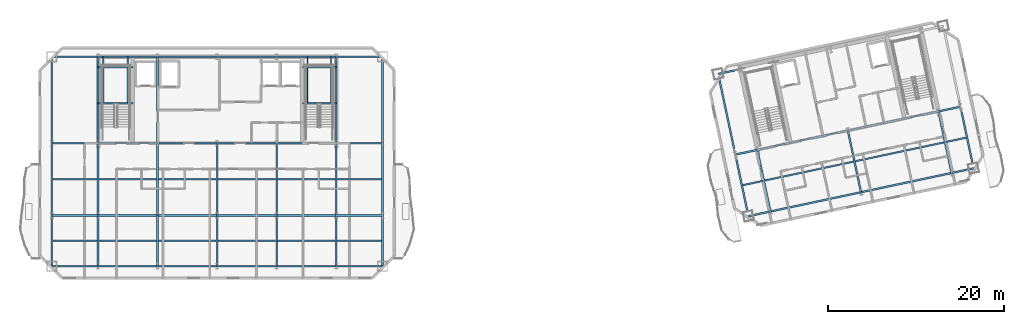
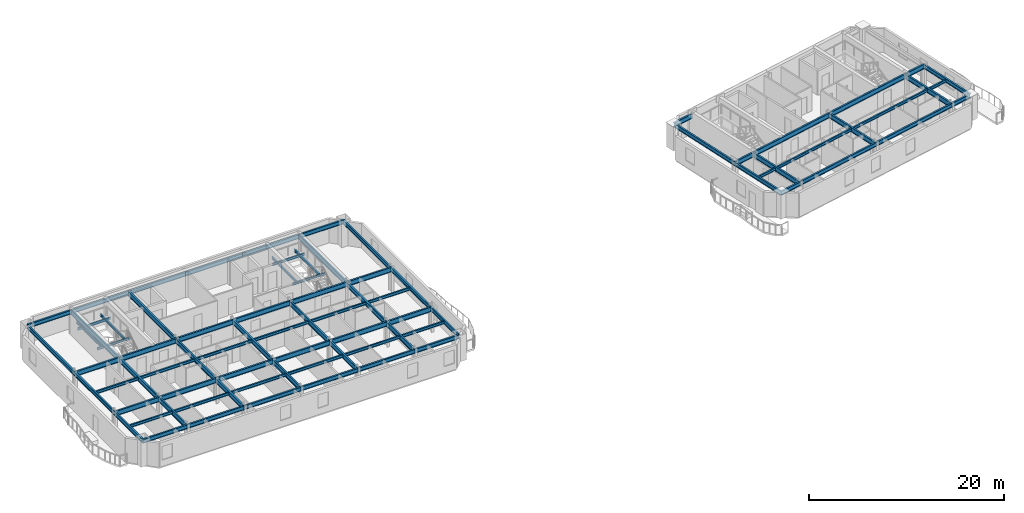
# One storey, part 3 of 14: 82 beams.
"""IFC4 building model written with IfcOpenShell, lengths in metres."""

from ifc_helpers import new_model, si_unit, direction, frame, origin, origin_2d, place, context, subcontext, project, spatial, i_section, extrude, material, material_profile, profile_set, type_object, element, save


model = new_model("IFC4")

# Units and contexts
model_context = context("Model", 3, precision=1e-05, world=origin(), true_north=direction((0.0, 1.0)))
body_context = subcontext(model_context, "Body", "Model", "MODEL_VIEW")
ifc_project = project(units=[si_unit("LENGTHUNIT", "METRE"), si_unit("AREAUNIT", "SQUARE_METRE"), si_unit("VOLUMEUNIT", "CUBIC_METRE"), si_unit("PLANEANGLEUNIT", "RADIAN"), si_unit("MASSUNIT", "GRAM", prefix="KILO")], contexts=[model_context])

# Site, building, storey
site_placement = place(None, origin())
site = spatial("IfcSite", under=ifc_project, at=site_placement, CompositionType="ELEMENT")
building_placement = place(site_placement, origin())
building = spatial("IfcBuilding", under=site, at=building_placement, Name="Haevon Station Towers", CompositionType="ELEMENT")
storey_placement = place(building_placement, frame((0.0, 0.0, 231.89990234375)))
storey = spatial("IfcBuildingStorey", under=building, at=storey_placement, Name="L64", CompositionType="ELEMENT", Elevation=231.89990234375)

# Beams
ifc_material = material(Name="Steel S355", Category="steel")
ifc_material_profile_1 = material_profile(ifc_material, i_section(OverallWidth=0.199951171875, OverallDepth=0.60009765625, WebThickness=0.010986328125, FlangeThickness=0.01708984375, at=origin_2d()), Name="H-600x200x11x17")
ifc_profile_set_1 = profile_set([ifc_material_profile_1], Name="Steel S355")
beam_type_1 = type_object("IfcBeamType", Name="BM-G600", PredefinedType="BEAM", material=ifc_profile_set_1)
beam_1_placement = place(storey_placement, frame((18.75, 30.0, 2.75), z_axis=(1.0, 0.0, 0.0), x_axis=(0.0, 1.0, 0.0)))
element("IfcBeam", 1, at=beam_1_placement, inside=storey, type_object=beam_type_1, Name="BM-T1U-L64-02-01", PredefinedType="BEAM", context=body_context, shape_type="SweptSolid", body=[
    extrude(i_section(OverallWidth=0.199951171875, OverallDepth=0.60009765625, WebThickness=0.010986328125, FlangeThickness=0.01708984375, at=origin_2d()), origin(), (0.0, 0.0, 1.0), 5.25),
])
for number, where, z_axis, x_axis, name in (
    (2, (24.0, 30.0, 2.75), (1.0, 0.0, 0.0), (0.0, 1.0, 0.0), "BM-T1U-L64-02-02"),
    (3, (30.75, 30.0, 2.75), (1.0, 0.0, 0.0), (0.0, 1.0, 0.0), "BM-T1U-L64-02-03"),
    (4, (37.5, 30.0, 2.75), (1.0, 0.0, 0.0), (0.0, 1.0, 0.0), "BM-T1U-L64-02-04"),
    (5, (44.25, 30.0, 2.75), (1.0, 0.0, 0.0), (0.0, 1.0, 0.0), "BM-T1U-L64-02-05"),
):
    element("IfcBeam", number, at=place(storey_placement, frame(where, z_axis=z_axis, x_axis=x_axis)), inside=storey, type_object=beam_type_1, Name=name, PredefinedType="BEAM", context=body_context, shape_type="SweptSolid", body=[
        extrude(i_section(OverallWidth=0.199951171875, OverallDepth=0.60009765625, WebThickness=0.010986328125, FlangeThickness=0.01708984375, at=origin_2d()), origin(), (0.0, 0.0, 1.0), 6.75),
    ])
for number, where, z_axis, x_axis, name in (
    (6, (51.0, 30.0, 2.75), (1.0, 0.0, 0.0), (0.0, 1.0, 0.0), "BM-T1U-L64-02-06"),
    (7, (18.75, 38.199951171875, 2.75), (1.0, 0.0, 0.0), (0.0, 1.0, 0.0), "BM-T1U-L64-03-01"),
):
    element("IfcBeam", number, at=place(storey_placement, frame(where, z_axis=z_axis, x_axis=x_axis)), inside=storey, type_object=beam_type_1, Name=name, PredefinedType="BEAM", context=body_context, shape_type="SweptSolid", body=[
        extrude(i_section(OverallWidth=0.199951171875, OverallDepth=0.60009765625, WebThickness=0.010986328125, FlangeThickness=0.01708984375, at=origin_2d()), origin(), (0.0, 0.0, 1.0), 5.25),
    ])
for number, where, z_axis, x_axis, name in (
    (8, (24.0, 38.199951171875, 2.75), (1.0, 0.0, 0.0), (0.0, 1.0, 0.0), "BM-T1U-L64-03-02"),
    (9, (30.75, 38.199951171875, 2.75), (1.0, 0.0, 0.0), (0.0, 1.0, 0.0), "BM-T1U-L64-03-03"),
    (10, (37.5, 38.199951171875, 2.75), (1.0, 0.0, 0.0), (0.0, 1.0, 0.0), "BM-T1U-L64-03-04"),
    (11, (44.25, 38.199951171875, 2.75), (1.0, 0.0, 0.0), (0.0, 1.0, 0.0), "BM-T1U-L64-03-05"),
):
    element("IfcBeam", number, at=place(storey_placement, frame(where, z_axis=z_axis, x_axis=x_axis)), inside=storey, type_object=beam_type_1, Name=name, PredefinedType="BEAM", context=body_context, shape_type="SweptSolid", body=[
        extrude(i_section(OverallWidth=0.199951171875, OverallDepth=0.60009765625, WebThickness=0.010986328125, FlangeThickness=0.01708984375, at=origin_2d()), origin(), (0.0, 0.0, 1.0), 6.75),
    ])
beam_2_placement = place(storey_placement, frame((51.0, 38.199951171875, 2.75), z_axis=(1.0, 0.0, 0.0), x_axis=(0.0, 1.0, 0.0)))
element("IfcBeam", 12, at=beam_2_placement, inside=storey, type_object=beam_type_1, Name="BM-T1U-L64-03-06", PredefinedType="BEAM", context=body_context, shape_type="SweptSolid", body=[
    extrude(i_section(OverallWidth=0.199951171875, OverallDepth=0.60009765625, WebThickness=0.010986328125, FlangeThickness=0.01708984375, at=origin_2d()), origin(), (0.0, 0.0, 1.0), 5.25),
])
beam_3_placement = place(storey_placement, frame((24.0, 24.25, 2.75), z_axis=(0.0, 1.0, 0.0), x_axis=(-1.0, 0.0, 0.0)))
element("IfcBeam", 13, at=beam_3_placement, inside=storey, type_object=beam_type_1, Name="BM-T1V-L64-02-01", PredefinedType="BEAM", context=body_context, shape_type="SweptSolid", body=[
    extrude(i_section(OverallWidth=0.199951171875, OverallDepth=0.60009765625, WebThickness=0.010986328125, FlangeThickness=0.01708984375, at=origin_2d()), origin(), (0.0, 0.0, 1.0), 5.75),
])
beam_4_placement = place(storey_placement, frame((24.0, 30.0, 2.75), z_axis=(0.0, 1.0, 0.0), x_axis=(-1.0, 0.0, 0.0)))
element("IfcBeam", 14, at=beam_4_placement, inside=storey, type_object=beam_type_1, Name="BM-T1V-L64-02-02", PredefinedType="BEAM", context=body_context, shape_type="SweptSolid", body=[
    extrude(i_section(OverallWidth=0.199951171875, OverallDepth=0.60009765625, WebThickness=0.010986328125, FlangeThickness=0.01708984375, at=origin_2d()), origin(), (0.0, 0.0, 1.0), 8.199951171875),
])
beam_5_placement = place(storey_placement, frame((24.0, 38.199951171875, 2.75), z_axis=(0.0, 1.0, 0.0), x_axis=(-1.0, 0.0, 0.0)))
element("IfcBeam", 15, at=beam_5_placement, inside=storey, type_object=beam_type_1, Name="BM-T1V-L64-02-03", PredefinedType="BEAM", context=body_context, shape_type="SweptSolid", body=[
    extrude(i_section(OverallWidth=0.199951171875, OverallDepth=0.60009765625, WebThickness=0.010986328125, FlangeThickness=0.01708984375, at=origin_2d()), origin(), (0.0, 0.0, 1.0), 9.800048828125),
])
beam_6_placement = place(storey_placement, frame((30.75, 24.25, 2.75), z_axis=(0.0, 1.0, 0.0), x_axis=(-1.0, 0.0, 0.0)))
element("IfcBeam", 16, at=beam_6_placement, inside=storey, type_object=beam_type_1, Name="BM-T1V-L64-03-01", PredefinedType="BEAM", context=body_context, shape_type="SweptSolid", body=[
    extrude(i_section(OverallWidth=0.199951171875, OverallDepth=0.60009765625, WebThickness=0.010986328125, FlangeThickness=0.01708984375, at=origin_2d()), origin(), (0.0, 0.0, 1.0), 5.75),
])
beam_7_placement = place(storey_placement, frame((30.75, 30.0, 2.75), z_axis=(0.0, 1.0, 0.0), x_axis=(-1.0, 0.0, 0.0)))
element("IfcBeam", 17, at=beam_7_placement, inside=storey, type_object=beam_type_1, Name="BM-T1V-L64-03-02", PredefinedType="BEAM", context=body_context, shape_type="SweptSolid", body=[
    extrude(i_section(OverallWidth=0.199951171875, OverallDepth=0.60009765625, WebThickness=0.010986328125, FlangeThickness=0.01708984375, at=origin_2d()), origin(), (0.0, 0.0, 1.0), 8.199951171875),
])
beam_8_placement = place(storey_placement, frame((30.75, 38.199951171875, 2.75), z_axis=(0.0, 1.0, 0.0), x_axis=(-1.0, 0.0, 0.0)))
element("IfcBeam", 18, at=beam_8_placement, inside=storey, type_object=beam_type_1, Name="BM-T1V-L64-03-03", PredefinedType="BEAM", context=body_context, shape_type="SweptSolid", body=[
    extrude(i_section(OverallWidth=0.199951171875, OverallDepth=0.60009765625, WebThickness=0.010986328125, FlangeThickness=0.01708984375, at=origin_2d()), origin(), (0.0, 0.0, 1.0), 9.800048828125),
])
beam_9_placement = place(storey_placement, frame((37.5, 24.25, 2.75), z_axis=(0.0, 1.0, 0.0), x_axis=(-1.0, 0.0, 0.0)))
element("IfcBeam", 19, at=beam_9_placement, inside=storey, type_object=beam_type_1, Name="BM-T1V-L64-04-01", PredefinedType="BEAM", context=body_context, shape_type="SweptSolid", body=[
    extrude(i_section(OverallWidth=0.199951171875, OverallDepth=0.60009765625, WebThickness=0.010986328125, FlangeThickness=0.01708984375, at=origin_2d()), origin(), (0.0, 0.0, 1.0), 5.75),
])
beam_10_placement = place(storey_placement, frame((37.5, 30.0, 2.75), z_axis=(0.0, 1.0, 0.0), x_axis=(-1.0, 0.0, 0.0)))
element("IfcBeam", 20, at=beam_10_placement, inside=storey, type_object=beam_type_1, Name="BM-T1V-L64-04-02", PredefinedType="BEAM", context=body_context, shape_type="SweptSolid", body=[
    extrude(i_section(OverallWidth=0.199951171875, OverallDepth=0.60009765625, WebThickness=0.010986328125, FlangeThickness=0.01708984375, at=origin_2d()), origin(), (0.0, 0.0, 1.0), 8.199951171875),
])
beam_11_placement = place(storey_placement, frame((44.25, 24.25, 2.75), z_axis=(0.0, 1.0, 0.0), x_axis=(-1.0, 0.0, 0.0)))
element("IfcBeam", 21, at=beam_11_placement, inside=storey, type_object=beam_type_1, Name="BM-T1V-L64-05-01", PredefinedType="BEAM", context=body_context, shape_type="SweptSolid", body=[
    extrude(i_section(OverallWidth=0.199951171875, OverallDepth=0.60009765625, WebThickness=0.010986328125, FlangeThickness=0.01708984375, at=origin_2d()), origin(), (0.0, 0.0, 1.0), 5.75),
])
beam_12_placement = place(storey_placement, frame((44.25, 30.0, 2.75), z_axis=(0.0, 1.0, 0.0), x_axis=(-1.0, 0.0, 0.0)))
element("IfcBeam", 22, at=beam_12_placement, inside=storey, type_object=beam_type_1, Name="BM-T1V-L64-05-02", PredefinedType="BEAM", context=body_context, shape_type="SweptSolid", body=[
    extrude(i_section(OverallWidth=0.199951171875, OverallDepth=0.60009765625, WebThickness=0.010986328125, FlangeThickness=0.01708984375, at=origin_2d()), origin(), (0.0, 0.0, 1.0), 8.199951171875),
])
beam_13_placement = place(storey_placement, frame((51.0, 24.25, 2.75), z_axis=(0.0, 1.0, 0.0), x_axis=(-1.0, 0.0, 0.0)))
element("IfcBeam", 23, at=beam_13_placement, inside=storey, type_object=beam_type_1, Name="BM-T1V-L64-06-01", PredefinedType="BEAM", context=body_context, shape_type="SweptSolid", body=[
    extrude(i_section(OverallWidth=0.199951171875, OverallDepth=0.60009765625, WebThickness=0.010986328125, FlangeThickness=0.01708984375, at=origin_2d()), origin(), (0.0, 0.0, 1.0), 5.75),
])
beam_14_placement = place(storey_placement, frame((51.0, 30.0, 2.75), z_axis=(0.0, 1.0, 0.0), x_axis=(-1.0, 0.0, 0.0)))
element("IfcBeam", 24, at=beam_14_placement, inside=storey, type_object=beam_type_1, Name="BM-T1V-L64-06-02", PredefinedType="BEAM", context=body_context, shape_type="SweptSolid", body=[
    extrude(i_section(OverallWidth=0.199951171875, OverallDepth=0.60009765625, WebThickness=0.010986328125, FlangeThickness=0.01708984375, at=origin_2d()), origin(), (0.0, 0.0, 1.0), 8.199951171875),
])
beam_15_placement = place(storey_placement, frame((51.0, 38.199951171875, 2.75), z_axis=(0.0, 1.0, 0.0), x_axis=(-1.0, 0.0, 0.0)))
element("IfcBeam", 25, at=beam_15_placement, inside=storey, type_object=beam_type_1, Name="BM-T1V-L64-06-03", PredefinedType="BEAM", context=body_context, shape_type="SweptSolid", body=[
    extrude(i_section(OverallWidth=0.199951171875, OverallDepth=0.60009765625, WebThickness=0.010986328125, FlangeThickness=0.01708984375, at=origin_2d()), origin(), (0.0, 0.0, 1.0), 9.800048828125),
])
beam_16_placement = place(storey_placement, frame((96.258056640625, 36.912353515625, 2.75), z_axis=(0.978161040728, 0.207848450565, 0.0), x_axis=(-0.207848450565, 0.978161040728, 0.0)))
element("IfcBeam", 26, at=beam_16_placement, inside=storey, type_object=beam_type_1, Name="BM-T2U-L64-02-01", PredefinedType="BEAM", context=body_context, shape_type="SweptSolid", body=[
    extrude(i_section(OverallWidth=0.199951171875, OverallDepth=0.60009765625, WebThickness=0.010986328125, FlangeThickness=0.01708984375, at=origin_2d()), origin(), (0.0, 0.0, 1.0), 2.550048828125),
])
for number, where, z_axis, x_axis, name in (
    (27, (98.75244140625, 37.4423828125, 2.75), (0.978146794194, 0.207915485254, 0.0), (-0.207915485254, 0.978146794194, 0.0), "BM-T2U-L64-02-02"),
    (28, (109.02294921875, 39.62548828125, 2.75), (0.978146794194, 0.207915485254, 0.0), (-0.207915485254, 0.978146794194, 0.0), "BM-T2U-L64-02-03"),
):
    element("IfcBeam", number, at=place(storey_placement, frame(where, z_axis=z_axis, x_axis=x_axis)), inside=storey, type_object=beam_type_1, Name=name, PredefinedType="BEAM", context=body_context, shape_type="SweptSolid", body=[
        extrude(i_section(OverallWidth=0.199951171875, OverallDepth=0.60009765625, WebThickness=0.010986328125, FlangeThickness=0.01708984375, at=origin_2d()), origin(), (0.0, 0.0, 1.0), 10.5),
    ])
beam_17_placement = place(storey_placement, frame((119.29345703125, 41.80859375, 2.75), z_axis=(0.978161040728, 0.207848450565, 0.0), x_axis=(-0.207848450565, 0.978161040728, 0.0)))
element("IfcBeam", 29, at=beam_17_placement, inside=storey, type_object=beam_type_1, Name="BM-T2U-L64-02-04", PredefinedType="BEAM", context=body_context, shape_type="SweptSolid", body=[
    extrude(i_section(OverallWidth=0.199951171875, OverallDepth=0.60009765625, WebThickness=0.010986328125, FlangeThickness=0.01708984375, at=origin_2d()), origin(), (0.0, 0.0, 1.0), 2.550048828125),
])
beam_18_placement = place(storey_placement, frame((94.314208984375, 46.057861328125, 2.75), z_axis=(0.978137432142, 0.207959524531, 0.0), x_axis=(-0.207959524531, 0.978137432142, 0.0)))
element("IfcBeam", 30, at=beam_18_placement, inside=storey, type_object=beam_type_1, Name="BM-T2U-L64-03-01", PredefinedType="BEAM", context=body_context, shape_type="SweptSolid", body=[
    extrude(i_section(OverallWidth=0.199951171875, OverallDepth=0.60009765625, WebThickness=0.010986328125, FlangeThickness=0.01708984375, at=origin_2d()), origin(), (0.0, 0.0, 1.0), 2.5498046875),
])
for number, where, z_axis, x_axis, name in (
    (31, (100.23681640625, 30.45849609375, 2.75), (-0.207898833396, 0.978150333575, 0.0), (-0.978150333575, -0.207898833396, 0.0), "BM-T2V-L64-02-01"),
    (32, (110.50732421875, 32.6416015625, 2.75), (-0.207898833396, 0.978150333575, 0.0), (-0.978150333575, -0.207898833396, 0.0), "BM-T2V-L64-03-01"),
):
    element("IfcBeam", number, at=place(storey_placement, frame(where, z_axis=z_axis, x_axis=x_axis)), inside=storey, type_object=beam_type_1, Name=name, PredefinedType="BEAM", context=body_context, shape_type="SweptSolid", body=[
        extrude(i_section(OverallWidth=0.199951171875, OverallDepth=0.60009765625, WebThickness=0.010986328125, FlangeThickness=0.01708984375, at=origin_2d()), origin(), (0.0, 0.0, 1.0), 7.139892578125),
    ])
beam_19_placement = place(storey_placement, frame((120.77783203125, 34.824462890625, 2.75), z_axis=(-0.207891880081, 0.978151811426, 0.0), x_axis=(-0.978151811426, -0.207891880081, 0.0)))
element("IfcBeam", 33, at=beam_19_placement, inside=storey, type_object=beam_type_1, Name="BM-T2V-L64-04-01", PredefinedType="BEAM", context=body_context, shape_type="SweptSolid", body=[
    extrude(i_section(OverallWidth=0.199951171875, OverallDepth=0.60009765625, WebThickness=0.010986328125, FlangeThickness=0.01708984375, at=origin_2d()), origin(), (0.0, 0.0, 1.0), 7.14013671875),
])
ifc_material_profile_2 = material_profile(ifc_material, i_section(OverallWidth=0.175048828125, OverallDepth=0.35009765625, WebThickness=0.007080078125, FlangeThickness=0.010986328125, at=origin_2d()), Name="H-350x175x7x11")
ifc_profile_set_2 = profile_set([ifc_material_profile_2], Name="Steel S355")
beam_type_2 = type_object("IfcBeamType", Name="BM-J350", PredefinedType="JOIST", material=ifc_profile_set_2)
beam_20_placement = place(storey_placement, frame((18.860107421875, 27.125, 2.875), z_axis=(1.0, 0.0, 0.0), x_axis=(0.0, 1.0, 0.0)))
element("IfcBeam", 34, at=beam_20_placement, inside=storey, type_object=beam_type_2, Name="BM-T1J-L64-01-01", PredefinedType="JOIST", context=body_context, shape_type="SweptSolid", body=[
    extrude(i_section(OverallWidth=0.175048828125, OverallDepth=0.35009765625, WebThickness=0.007080078125, FlangeThickness=0.010986328125, at=origin_2d()), origin(), (0.0, 0.0, 1.0), 5.02978515625),
])
for number, where, z_axis, x_axis, name in (
    (35, (24.110107421875, 27.125, 2.875), (1.0, 0.0, 0.0), (0.0, 1.0, 0.0), "BM-T1J-L64-01-02"),
    (36, (30.860107421875, 27.125, 2.875), (1.0, 0.0, 0.0), (0.0, 1.0, 0.0), "BM-T1J-L64-01-03"),
    (37, (37.610107421875, 27.125, 2.875), (1.0, 0.0, 0.0), (0.0, 1.0, 0.0), "BM-T1J-L64-01-04"),
    (38, (44.360107421875, 27.125, 2.875), (1.0, 0.0, 0.0), (0.0, 1.0, 0.0), "BM-T1J-L64-01-05"),
):
    element("IfcBeam", number, at=place(storey_placement, frame(where, z_axis=z_axis, x_axis=x_axis)), inside=storey, type_object=beam_type_2, Name=name, PredefinedType="JOIST", context=body_context, shape_type="SweptSolid", body=[
        extrude(i_section(OverallWidth=0.175048828125, OverallDepth=0.35009765625, WebThickness=0.007080078125, FlangeThickness=0.010986328125, at=origin_2d()), origin(), (0.0, 0.0, 1.0), 6.52978515625),
    ])
for number, where, z_axis, x_axis, name in (
    (39, (51.110107421875, 27.125, 2.875), (1.0, 0.0, 0.0), (0.0, 1.0, 0.0), "BM-T1J-L64-01-06"),
    (40, (18.860107421875, 34.10009765625, 2.875), (1.0, 0.0, 0.0), (0.0, 1.0, 0.0), "BM-T1J-L64-02-01"),
):
    element("IfcBeam", number, at=place(storey_placement, frame(where, z_axis=z_axis, x_axis=x_axis)), inside=storey, type_object=beam_type_2, Name=name, PredefinedType="JOIST", context=body_context, shape_type="SweptSolid", body=[
        extrude(i_section(OverallWidth=0.175048828125, OverallDepth=0.35009765625, WebThickness=0.007080078125, FlangeThickness=0.010986328125, at=origin_2d()), origin(), (0.0, 0.0, 1.0), 5.02978515625),
    ])
for number, where, z_axis, x_axis, name in (
    (41, (24.110107421875, 34.10009765625, 2.875), (1.0, 0.0, 0.0), (0.0, 1.0, 0.0), "BM-T1J-L64-02-02"),
    (42, (30.860107421875, 34.10009765625, 2.875), (1.0, 0.0, 0.0), (0.0, 1.0, 0.0), "BM-T1J-L64-02-03"),
    (43, (37.610107421875, 34.10009765625, 2.875), (1.0, 0.0, 0.0), (0.0, 1.0, 0.0), "BM-T1J-L64-02-04"),
    (44, (44.360107421875, 34.10009765625, 2.875), (1.0, 0.0, 0.0), (0.0, 1.0, 0.0), "BM-T1J-L64-02-05"),
):
    element("IfcBeam", number, at=place(storey_placement, frame(where, z_axis=z_axis, x_axis=x_axis)), inside=storey, type_object=beam_type_2, Name=name, PredefinedType="JOIST", context=body_context, shape_type="SweptSolid", body=[
        extrude(i_section(OverallWidth=0.175048828125, OverallDepth=0.35009765625, WebThickness=0.007080078125, FlangeThickness=0.010986328125, at=origin_2d()), origin(), (0.0, 0.0, 1.0), 6.52978515625),
    ])
beam_21_placement = place(storey_placement, frame((51.110107421875, 34.10009765625, 2.875), z_axis=(1.0, 0.0, 0.0), x_axis=(0.0, 1.0, 0.0)))
element("IfcBeam", 45, at=beam_21_placement, inside=storey, type_object=beam_type_2, Name="BM-T1J-L64-02-06", PredefinedType="JOIST", context=body_context, shape_type="SweptSolid", body=[
    extrude(i_section(OverallWidth=0.175048828125, OverallDepth=0.35009765625, WebThickness=0.007080078125, FlangeThickness=0.010986328125, at=origin_2d()), origin(), (0.0, 0.0, 1.0), 5.02978515625),
])
beam_22_placement = place(storey_placement, frame((97.10791015625, 33.443115234375, 2.875), z_axis=(0.978152192783, 0.207890085751, 0.0), x_axis=(-0.207890085751, 0.978152192783, 0.0)))
element("IfcBeam", 46, at=beam_22_placement, inside=storey, type_object=beam_type_2, Name="BM-T2J-L64-01-01", PredefinedType="JOIST", context=body_context, shape_type="SweptSolid", body=[
    extrude(i_section(OverallWidth=0.175048828125, OverallDepth=0.35009765625, WebThickness=0.007080078125, FlangeThickness=0.010986328125, at=origin_2d()), origin(), (0.0, 0.0, 1.0), 2.330078125),
])
for number, where, z_axis, x_axis, name in (
    (47, (99.602294921875, 33.973388671875, 2.875), (0.978149313139, 0.20790363442, 0.0), (-0.20790363442, 0.978149313139, 0.0), "BM-T2J-L64-01-02"),
    (48, (109.872802734375, 36.15625, 2.875), (0.97814448317, 0.207926357261, 0.0), (-0.207926357261, 0.97814448317, 0.0), "BM-T2J-L64-01-03"),
):
    element("IfcBeam", number, at=place(storey_placement, frame(where, z_axis=z_axis, x_axis=x_axis)), inside=storey, type_object=beam_type_2, Name=name, PredefinedType="JOIST", context=body_context, shape_type="SweptSolid", body=[
        extrude(i_section(OverallWidth=0.175048828125, OverallDepth=0.35009765625, WebThickness=0.007080078125, FlangeThickness=0.010986328125, at=origin_2d()), origin(), (0.0, 0.0, 1.0), 10.27978515625),
    ])
beam_23_placement = place(storey_placement, frame((120.143310546875, 38.33935546875, 2.875), z_axis=(0.978130880619, 0.207990337228, 0.0), x_axis=(-0.207990337228, 0.978130880619, 0.0)))
element("IfcBeam", 49, at=beam_23_placement, inside=storey, type_object=beam_type_2, Name="BM-T2J-L64-01-04", PredefinedType="JOIST", context=body_context, shape_type="SweptSolid", body=[
    extrude(i_section(OverallWidth=0.175048828125, OverallDepth=0.35009765625, WebThickness=0.007080078125, FlangeThickness=0.010986328125, at=origin_2d()), origin(), (0.0, 0.0, 1.0), 2.330078125),
])
ifc_material_profile_3 = material_profile(ifc_material, i_section(OverallWidth=0.14990234375, OverallDepth=0.300048828125, WebThickness=0.006591796875, FlangeThickness=0.009033203125, at=origin_2d()), Name="H-300x150x6.5x9")
ifc_profile_set_3 = profile_set([ifc_material_profile_3], Name="Steel S355")
beam_type_3 = type_object("IfcBeamType", Name="BM-LIN300", PredefinedType="LINTEL", material=ifc_profile_set_3)
for number, where, z_axis, x_axis, name in (
    (50, (24.0, 42.743896484375, 1.300048828125), (1.0, 0.0, 0.0), (0.0, 1.0, 0.0), "BM-ST1L-L64-1-S"),
    (51, (24.0, 46.820068359375, 1.300048828125), (1.0, 0.0, 0.0), (0.0, 1.0, 0.0), "BM-ST1L-L64-1-N"),
):
    element("IfcBeam", number, at=place(storey_placement, frame(where, z_axis=z_axis, x_axis=x_axis)), inside=storey, type_object=beam_type_3, Name=name, PredefinedType="LINTEL", context=body_context, shape_type="SweptSolid", body=[
        extrude(i_section(OverallWidth=0.14990234375, OverallDepth=0.300048828125, WebThickness=0.006591796875, FlangeThickness=0.009033203125, at=origin_2d()), origin(), (0.0, 0.0, 1.0), 3.949951171875),
    ])
for number, where, z_axis, x_axis, name in (
    (52, (24.60009765625, 42.743896484375, 1.300048828125), (0.0, 1.0, 0.0), (-1.0, 0.0, 0.0), "BM-ST1L-L64-1-W"),
    (53, (27.35009765625, 42.743896484375, 1.300048828125), (0.0, 1.0, 0.0), (-1.0, 0.0, 0.0), "BM-ST1L-L64-1-E"),
):
    element("IfcBeam", number, at=place(storey_placement, frame(where, z_axis=z_axis, x_axis=x_axis)), inside=storey, type_object=beam_type_3, Name=name, PredefinedType="LINTEL", context=body_context, shape_type="SweptSolid", body=[
        extrude(i_section(OverallWidth=0.14990234375, OverallDepth=0.300048828125, WebThickness=0.006591796875, FlangeThickness=0.009033203125, at=origin_2d()), origin(), (0.0, 0.0, 1.0), 5.256103515625),
    ])
for number, where, z_axis, x_axis, name in (
    (54, (47.14990234375, 42.743896484375, 1.300048828125), (1.0, 0.0, 0.0), (0.0, 1.0, 0.0), "BM-ST2L-L64-1-S"),
    (55, (47.14990234375, 46.820068359375, 1.300048828125), (1.0, 0.0, 0.0), (0.0, 1.0, 0.0), "BM-ST2L-L64-1-N"),
):
    element("IfcBeam", number, at=place(storey_placement, frame(where, z_axis=z_axis, x_axis=x_axis)), inside=storey, type_object=beam_type_3, Name=name, PredefinedType="LINTEL", context=body_context, shape_type="SweptSolid", body=[
        extrude(i_section(OverallWidth=0.14990234375, OverallDepth=0.300048828125, WebThickness=0.006591796875, FlangeThickness=0.009033203125, at=origin_2d()), origin(), (0.0, 0.0, 1.0), 3.85009765625),
    ])
for number, where, z_axis, x_axis, name in (
    (56, (47.75, 42.743896484375, 1.300048828125), (0.0, 1.0, 0.0), (-1.0, 0.0, 0.0), "BM-ST2L-L64-1-W"),
    (57, (50.39990234375, 42.743896484375, 1.300048828125), (0.0, 1.0, 0.0), (-1.0, 0.0, 0.0), "BM-ST2L-L64-1-E"),
):
    element("IfcBeam", number, at=place(storey_placement, frame(where, z_axis=z_axis, x_axis=x_axis)), inside=storey, type_object=beam_type_3, Name=name, PredefinedType="LINTEL", context=body_context, shape_type="SweptSolid", body=[
        extrude(i_section(OverallWidth=0.14990234375, OverallDepth=0.300048828125, WebThickness=0.006591796875, FlangeThickness=0.009033203125, at=origin_2d()), origin(), (0.0, 0.0, 1.0), 5.256103515625),
    ])
ifc_material_profile_4 = material_profile(ifc_material, i_section(OverallWidth=0.199951171875, OverallDepth=0.5, WebThickness=0.010009765625, FlangeThickness=0.01611328125, at=origin_2d()), Name="H-500x200x10x16")
ifc_profile_set_4 = profile_set([ifc_material_profile_4], Name="Steel S355")
beam_type_4 = type_object("IfcBeamType", Name="BM-SP500", PredefinedType="SPANDREL", material=ifc_profile_set_4)
beam_24_placement = place(storey_placement, frame((18.75, 24.25, 2.800048828125), z_axis=(1.0, 0.0, 0.0), x_axis=(0.0, 1.0, 0.0)))
element("IfcBeam", 58, at=beam_24_placement, inside=storey, type_object=beam_type_4, Name="BM-T1U-L64-01-01", PredefinedType="SPANDREL", context=body_context, shape_type="SweptSolid", body=[
    extrude(i_section(OverallWidth=0.199951171875, OverallDepth=0.5, WebThickness=0.010009765625, FlangeThickness=0.01611328125, at=origin_2d()), origin(), (0.0, 0.0, 1.0), 5.25),
])
for number, where, z_axis, x_axis, name in (
    (59, (24.0, 24.25, 2.800048828125), (1.0, 0.0, 0.0), (0.0, 1.0, 0.0), "BM-T1U-L64-01-02"),
    (60, (30.75, 24.25, 2.800048828125), (1.0, 0.0, 0.0), (0.0, 1.0, 0.0), "BM-T1U-L64-01-03"),
    (61, (37.5, 24.25, 2.800048828125), (1.0, 0.0, 0.0), (0.0, 1.0, 0.0), "BM-T1U-L64-01-04"),
    (62, (44.25, 24.25, 2.800048828125), (1.0, 0.0, 0.0), (0.0, 1.0, 0.0), "BM-T1U-L64-01-05"),
):
    element("IfcBeam", number, at=place(storey_placement, frame(where, z_axis=z_axis, x_axis=x_axis)), inside=storey, type_object=beam_type_4, Name=name, PredefinedType="SPANDREL", context=body_context, shape_type="SweptSolid", body=[
        extrude(i_section(OverallWidth=0.199951171875, OverallDepth=0.5, WebThickness=0.010009765625, FlangeThickness=0.01611328125, at=origin_2d()), origin(), (0.0, 0.0, 1.0), 6.75),
    ])
for number, where, z_axis, x_axis, name in (
    (63, (51.0, 24.25, 2.800048828125), (1.0, 0.0, 0.0), (0.0, 1.0, 0.0), "BM-T1U-L64-01-06"),
    (64, (18.75, 48.0, 2.800048828125), (1.0, 0.0, 0.0), (0.0, 1.0, 0.0), "BM-T1U-L64-04-01"),
):
    element("IfcBeam", number, at=place(storey_placement, frame(where, z_axis=z_axis, x_axis=x_axis)), inside=storey, type_object=beam_type_4, Name=name, PredefinedType="SPANDREL", context=body_context, shape_type="SweptSolid", body=[
        extrude(i_section(OverallWidth=0.199951171875, OverallDepth=0.5, WebThickness=0.010009765625, FlangeThickness=0.01611328125, at=origin_2d()), origin(), (0.0, 0.0, 1.0), 5.25),
    ])
for number, where, z_axis, x_axis, name in (
    (65, (24.0, 48.0, 2.800048828125), (1.0, 0.0, 0.0), (0.0, 1.0, 0.0), "BM-T1U-L64-04-02"),
    (66, (30.75, 48.0, 2.800048828125), (1.0, 0.0, 0.0), (0.0, 1.0, 0.0), "BM-T1U-L64-04-03"),
    (67, (37.5, 48.0, 2.800048828125), (1.0, 0.0, 0.0), (0.0, 1.0, 0.0), "BM-T1U-L64-04-04"),
    (68, (44.25, 48.0, 2.800048828125), (1.0, 0.0, 0.0), (0.0, 1.0, 0.0), "BM-T1U-L64-04-05"),
):
    element("IfcBeam", number, at=place(storey_placement, frame(where, z_axis=z_axis, x_axis=x_axis)), inside=storey, type_object=beam_type_4, Name=name, PredefinedType="SPANDREL", context=body_context, shape_type="SweptSolid", body=[
        extrude(i_section(OverallWidth=0.199951171875, OverallDepth=0.5, WebThickness=0.010009765625, FlangeThickness=0.01611328125, at=origin_2d()), origin(), (0.0, 0.0, 1.0), 6.75),
    ])
beam_25_placement = place(storey_placement, frame((51.0, 48.0, 2.800048828125), z_axis=(1.0, 0.0, 0.0), x_axis=(0.0, 1.0, 0.0)))
element("IfcBeam", 69, at=beam_25_placement, inside=storey, type_object=beam_type_4, Name="BM-T1U-L64-04-06", PredefinedType="SPANDREL", context=body_context, shape_type="SweptSolid", body=[
    extrude(i_section(OverallWidth=0.199951171875, OverallDepth=0.5, WebThickness=0.010009765625, FlangeThickness=0.01611328125, at=origin_2d()), origin(), (0.0, 0.0, 1.0), 5.25),
])
beam_26_placement = place(storey_placement, frame((18.75, 24.25, 2.800048828125), z_axis=(0.0, 1.0, 0.0), x_axis=(-1.0, 0.0, 0.0)))
element("IfcBeam", 70, at=beam_26_placement, inside=storey, type_object=beam_type_4, Name="BM-T1V-L64-01-01", PredefinedType="SPANDREL", context=body_context, shape_type="SweptSolid", body=[
    extrude(i_section(OverallWidth=0.199951171875, OverallDepth=0.5, WebThickness=0.010009765625, FlangeThickness=0.01611328125, at=origin_2d()), origin(), (0.0, 0.0, 1.0), 5.75),
])
beam_27_placement = place(storey_placement, frame((18.75, 30.0, 2.800048828125), z_axis=(0.0, 1.0, 0.0), x_axis=(-1.0, 0.0, 0.0)))
element("IfcBeam", 71, at=beam_27_placement, inside=storey, type_object=beam_type_4, Name="BM-T1V-L64-01-02", PredefinedType="SPANDREL", context=body_context, shape_type="SweptSolid", body=[
    extrude(i_section(OverallWidth=0.199951171875, OverallDepth=0.5, WebThickness=0.010009765625, FlangeThickness=0.01611328125, at=origin_2d()), origin(), (0.0, 0.0, 1.0), 8.199951171875),
])
beam_28_placement = place(storey_placement, frame((18.75, 38.199951171875, 2.800048828125), z_axis=(0.0, 1.0, 0.0), x_axis=(-1.0, 0.0, 0.0)))
element("IfcBeam", 72, at=beam_28_placement, inside=storey, type_object=beam_type_4, Name="BM-T1V-L64-01-03", PredefinedType="SPANDREL", context=body_context, shape_type="SweptSolid", body=[
    extrude(i_section(OverallWidth=0.199951171875, OverallDepth=0.5, WebThickness=0.010009765625, FlangeThickness=0.01611328125, at=origin_2d()), origin(), (0.0, 0.0, 1.0), 9.800048828125),
])
beam_29_placement = place(storey_placement, frame((56.25, 24.25, 2.800048828125), z_axis=(0.0, 1.0, 0.0), x_axis=(-1.0, 0.0, 0.0)))
element("IfcBeam", 73, at=beam_29_placement, inside=storey, type_object=beam_type_4, Name="BM-T1V-L64-07-01", PredefinedType="SPANDREL", context=body_context, shape_type="SweptSolid", body=[
    extrude(i_section(OverallWidth=0.199951171875, OverallDepth=0.5, WebThickness=0.010009765625, FlangeThickness=0.01611328125, at=origin_2d()), origin(), (0.0, 0.0, 1.0), 5.75),
])
beam_30_placement = place(storey_placement, frame((56.25, 30.0, 2.800048828125), z_axis=(0.0, 1.0, 0.0), x_axis=(-1.0, 0.0, 0.0)))
element("IfcBeam", 74, at=beam_30_placement, inside=storey, type_object=beam_type_4, Name="BM-T1V-L64-07-02", PredefinedType="SPANDREL", context=body_context, shape_type="SweptSolid", body=[
    extrude(i_section(OverallWidth=0.199951171875, OverallDepth=0.5, WebThickness=0.010009765625, FlangeThickness=0.01611328125, at=origin_2d()), origin(), (0.0, 0.0, 1.0), 8.199951171875),
])
beam_31_placement = place(storey_placement, frame((56.25, 38.199951171875, 2.800048828125), z_axis=(0.0, 1.0, 0.0), x_axis=(-1.0, 0.0, 0.0)))
element("IfcBeam", 75, at=beam_31_placement, inside=storey, type_object=beam_type_4, Name="BM-T1V-L64-07-03", PredefinedType="SPANDREL", context=body_context, shape_type="SweptSolid", body=[
    extrude(i_section(OverallWidth=0.199951171875, OverallDepth=0.5, WebThickness=0.010009765625, FlangeThickness=0.01611328125, at=origin_2d()), origin(), (0.0, 0.0, 1.0), 9.800048828125),
])
beam_32_placement = place(storey_placement, frame((97.74267578125, 29.92822265625, 2.800048828125), z_axis=(0.978137432142, 0.207959524531, 0.0), x_axis=(-0.207959524531, 0.978137432142, 0.0)))
element("IfcBeam", 76, at=beam_32_placement, inside=storey, type_object=beam_type_4, Name="BM-T2U-L64-01-01", PredefinedType="SPANDREL", context=body_context, shape_type="SweptSolid", body=[
    extrude(i_section(OverallWidth=0.199951171875, OverallDepth=0.5, WebThickness=0.010009765625, FlangeThickness=0.01611328125, at=origin_2d()), origin(), (0.0, 0.0, 1.0), 2.5498046875),
])
for number, where, z_axis, x_axis, name in (
    (77, (100.23681640625, 30.45849609375, 2.800048828125), (0.978146794194, 0.207915485254, 0.0), (-0.207915485254, 0.978146794194, 0.0), "BM-T2U-L64-01-02"),
    (78, (110.50732421875, 32.6416015625, 2.800048828125), (0.978151522678, 0.207893238667, 0.0), (-0.207893238667, 0.978151522678, 0.0), "BM-T2U-L64-01-03"),
):
    element("IfcBeam", number, at=place(storey_placement, frame(where, z_axis=z_axis, x_axis=x_axis)), inside=storey, type_object=beam_type_4, Name=name, PredefinedType="SPANDREL", context=body_context, shape_type="SweptSolid", body=[
        extrude(i_section(OverallWidth=0.199951171875, OverallDepth=0.5, WebThickness=0.010009765625, FlangeThickness=0.01611328125, at=origin_2d()), origin(), (0.0, 0.0, 1.0), 10.5),
    ])
beam_33_placement = place(storey_placement, frame((120.77783203125, 34.824462890625, 2.800048828125), z_axis=(0.978141572287, 0.207940050407, 0.0), x_axis=(-0.207940050407, 0.978141572287, 0.0)))
element("IfcBeam", 79, at=beam_33_placement, inside=storey, type_object=beam_type_4, Name="BM-T2U-L64-01-04", PredefinedType="SPANDREL", context=body_context, shape_type="SweptSolid", body=[
    extrude(i_section(OverallWidth=0.199951171875, OverallDepth=0.5, WebThickness=0.010009765625, FlangeThickness=0.01611328125, at=origin_2d()), origin(), (0.0, 0.0, 1.0), 2.550048828125),
])
beam_34_placement = place(storey_placement, frame((97.74267578125, 29.92822265625, 2.800048828125), z_axis=(-0.207924594698, 0.97814485784, 0.0), x_axis=(-0.97814485784, -0.207924594698, 0.0)))
element("IfcBeam", 80, at=beam_34_placement, inside=storey, type_object=beam_type_4, Name="BM-T2V-L64-01-01", PredefinedType="SPANDREL", context=body_context, shape_type="SweptSolid", body=[
    extrude(i_section(OverallWidth=0.199951171875, OverallDepth=0.5, WebThickness=0.010009765625, FlangeThickness=0.01611328125, at=origin_2d()), origin(), (0.0, 0.0, 1.0), 7.14013671875),
])
beam_35_placement = place(storey_placement, frame((96.258056640625, 36.912353515625, 2.800048828125), z_axis=(-0.207902477038, 0.978149559138, 0.0), x_axis=(-0.978149559138, -0.207902477038, 0.0)))
element("IfcBeam", 81, at=beam_35_placement, inside=storey, type_object=beam_type_4, Name="BM-T2V-L64-01-02", PredefinedType="SPANDREL", context=body_context, shape_type="SweptSolid", body=[
    extrude(i_section(OverallWidth=0.199951171875, OverallDepth=0.5, WebThickness=0.010009765625, FlangeThickness=0.01611328125, at=origin_2d()), origin(), (0.0, 0.0, 1.0), 9.349853515625),
])
beam_36_placement = place(storey_placement, frame((123.272216796875, 35.354736328125, 2.800048828125), z_axis=(-0.207898833396, 0.978150333575, 0.0), x_axis=(-0.978150333575, -0.207898833396, 0.0)))
element("IfcBeam", 82, at=beam_36_placement, inside=storey, type_object=beam_type_4, Name="BM-T2V-L64-05-01", PredefinedType="SPANDREL", context=body_context, shape_type="SweptSolid", body=[
    extrude(i_section(OverallWidth=0.199951171875, OverallDepth=0.5, WebThickness=0.010009765625, FlangeThickness=0.01611328125, at=origin_2d()), origin(), (0.0, 0.0, 1.0), 7.139892578125),
])

save(model, "model.ifc")
